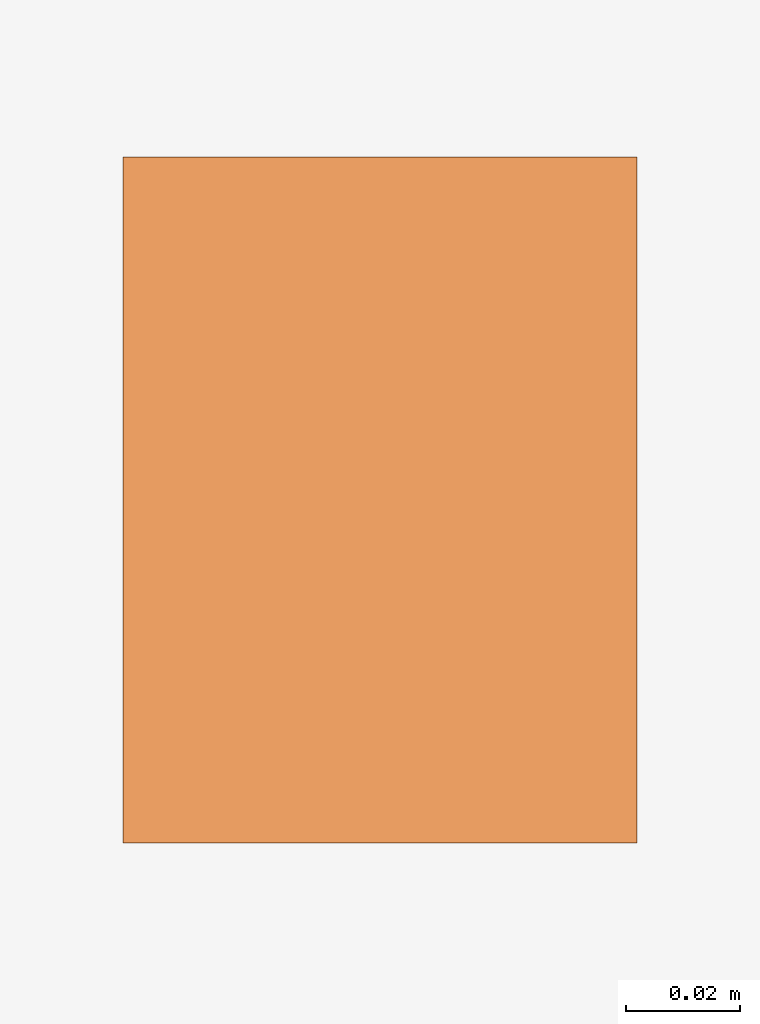
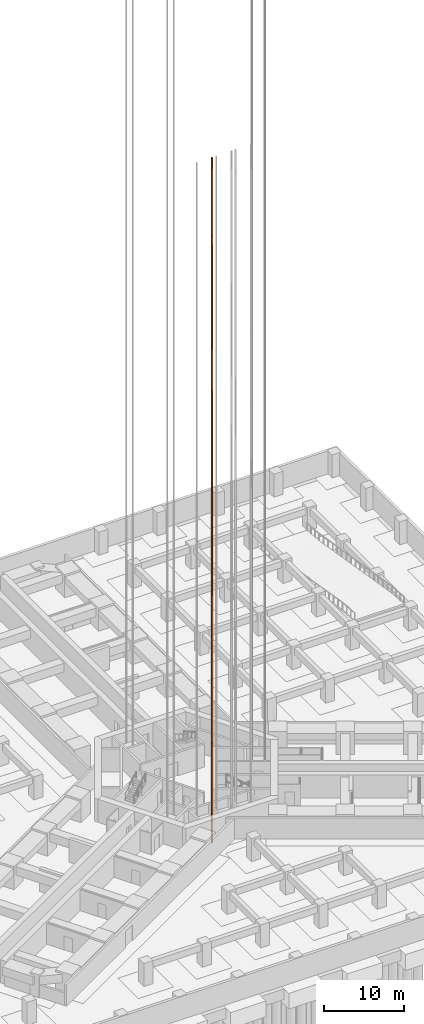
# One storey, part 65 of 73: 1 proxy.
"""IFC4 building model written with IfcOpenShell, lengths in metres."""

from ifc_helpers import new_model, si_unit, direction, frame, origin, origin_2d, place, context, subcontext, project, spatial, rectangle, extrude, material, type_object, element, save


model = new_model("IFC4")

# Units and contexts
model_context = context("Model", 3, precision=1e-05, world=origin(), true_north=direction((0.0, 1.0)))
body_context = subcontext(model_context, "Body", "Model", "MODEL_VIEW")
ifc_project = project(units=[si_unit("LENGTHUNIT", "METRE"), si_unit("AREAUNIT", "SQUARE_METRE"), si_unit("VOLUMEUNIT", "CUBIC_METRE"), si_unit("PLANEANGLEUNIT", "RADIAN"), si_unit("MASSUNIT", "GRAM", prefix="KILO")], contexts=[model_context])

# Site, building, storey
site_placement = place(None, origin())
site = spatial("IfcSite", under=ifc_project, at=site_placement, CompositionType="ELEMENT")
building_placement = place(site_placement, origin())
building = spatial("IfcBuilding", under=site, at=building_placement, Name="Impinga Residences", CompositionType="ELEMENT")
storey_placement = place(building_placement, frame((0.0, 0.0, -10.5)))
storey = spatial("IfcBuildingStorey", under=building, at=storey_placement, Name="B3", CompositionType="ELEMENT", Elevation=-10.5)

# Proxy
ifc_material = material(Name="Steel lift guide rail, galvanised", Category="steel")
building_element_proxy_type = type_object("IfcBuildingElementProxyType", Name="LGR lift guide rail", PredefinedType="USERDEFINED", material=ifc_material)
proxy_placement = place(storey_placement, frame((-1.695068359375, -9.381591796875, -1.60009765625), z_axis=(0.0, 0.0, 1.0), x_axis=(1.0, 0.0, 0.0)))
element("IfcBuildingElementProxy", 1, at=proxy_placement, inside=storey, type_object=building_element_proxy_type, Name="Guide rail P3 2", ObjectType="Lift guide rail", PredefinedType="USERDEFINED", context=body_context, shape_type="SweptSolid", body=[
    extrude(rectangle(XDim=0.090087890625, YDim=0.1201171875, at=origin_2d()), origin(), (0.0, 0.0, 1.0), 104.25),
])

save(model, "model.ifc")
